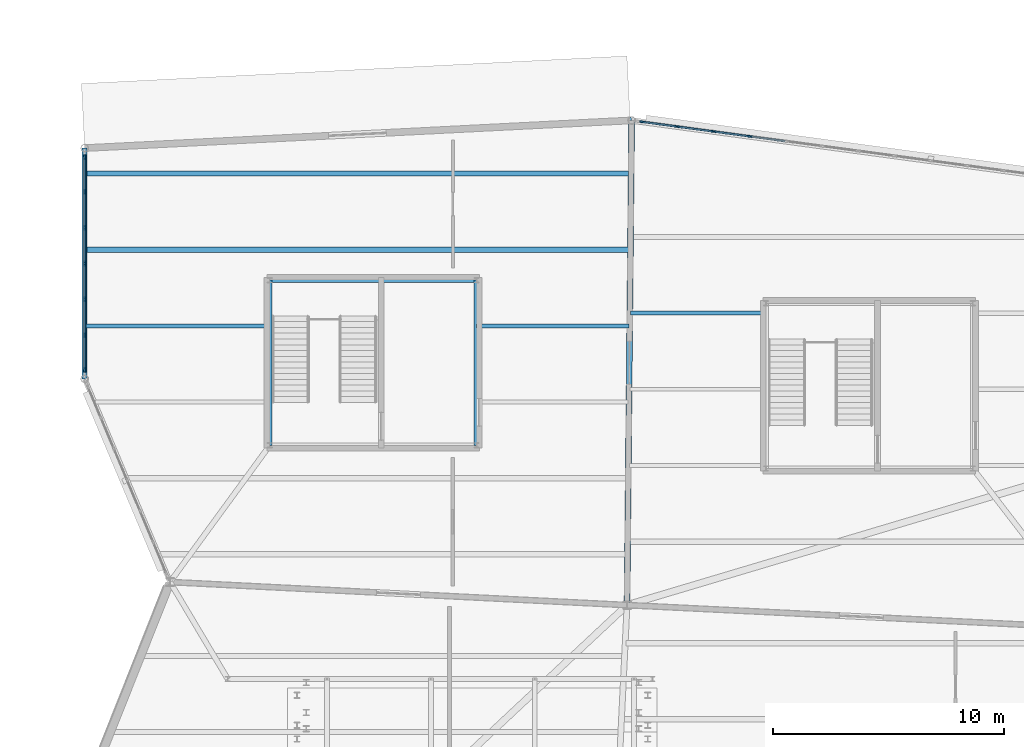
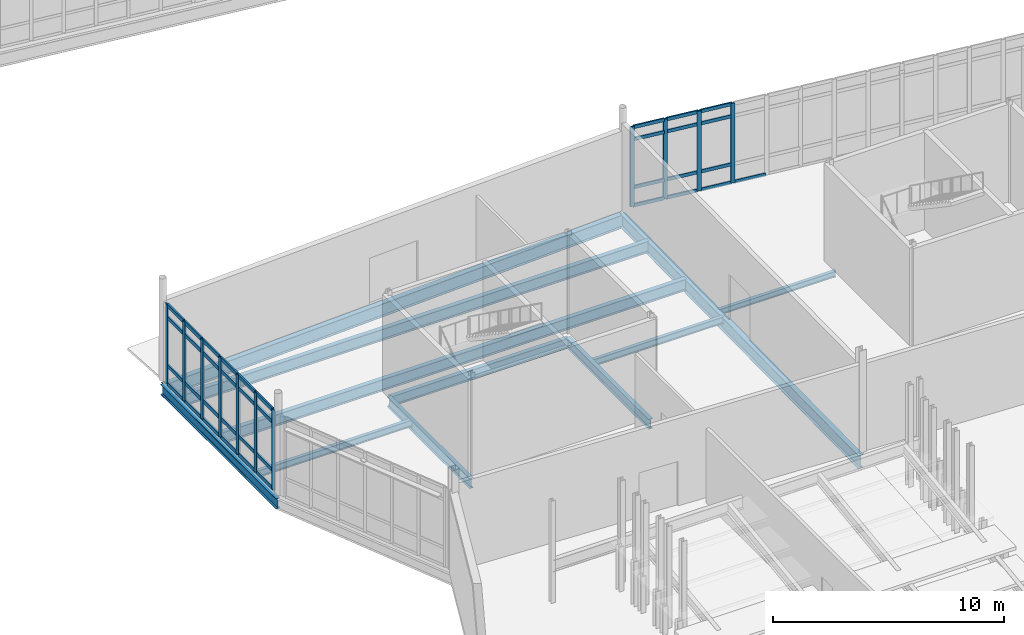
# One storey, part 30 of 113: 48 members, 11 beams, 2 elements without a shape of their own.
"""IFC4 building model written with IfcOpenShell, lengths in metres."""

import ifcopenshell
import ifcopenshell.guid

model = None  # the IFC model being written
_history = None  # IfcOwnerHistory: only IFC2X3 demands one
_inside = {}  # id of a spatial element -> (the spatial element, [elements in it])
_under = {}  # id of a project, library or spatial element -> (it, [spatial elements below it])
_declared = {}  # id of a project -> (the project, [libraries it declares])
_typed = {}  # id of a type object -> (the type object, [elements of that type])
_made_of = {}  # id of a material, layer set ... -> (it, [elements and type objects made of it])


def new_model(schema):
    """Start an empty IFC model of exactly this schema.

    Asked for "IFC4X3", IfcOpenShell would pick the latest addendum, in which some entities
    have other attributes; the version numbers below select the first issue.
    IFC2X3 requires an IfcOwnerHistory on every rooted entity: one is made here for all.
    """
    global model, _history
    if schema == "IFC4X3":
        model = ifcopenshell.file(schema_version=(4, 3, 0, 0))
    else:
        model = ifcopenshell.file(schema=schema)
    _inside.clear()
    _under.clear()
    _declared.clear()
    _typed.clear()
    _made_of.clear()
    _history = None
    if model.schema == "IFC2X3":
        org = make("IfcOrganization", Name="unknown")
        user = make(
            "IfcPersonAndOrganization",
            ThePerson=make("IfcPerson", FamilyName="unknown"),
            TheOrganization=org,
        )
        app = make(
            "IfcApplication",
            ApplicationDeveloper=org,
            Version="unknown",
            ApplicationFullName="unknown",
            ApplicationIdentifier="unknown",
        )
        _history = make(
            "IfcOwnerHistory",
            OwningUser=user,
            OwningApplication=app,
            ChangeAction="ADDED",
            CreationDate=0,
        )
    return model


def make(cls, **values):
    """One entity of the class cls with the attributes given. An attribute that is None is left unset."""
    return model.create_entity(
        cls, **{name: value for name, value in values.items() if value is not None}
    )


def rooted(cls, **values):
    """An entity with a GlobalId (a new one), such as an element, a storey or a relation."""
    return make(cls, GlobalId=ifcopenshell.guid.new(), OwnerHistory=_history, **values)


def si_unit(unit_type, name, prefix=None):
    """IfcSIUnit, for example si_unit("LENGTHUNIT", "METRE", prefix="MILLI")."""
    return make("IfcSIUnit", UnitType=unit_type, Prefix=prefix, Name=name)


def assignment(units):
    """IfcUnitAssignment: the units of a project."""
    return None if units is None else make("IfcUnitAssignment", Units=units)


def point(xyz):
    """IfcCartesianPoint."""
    return None if xyz is None else make("IfcCartesianPoint", Coordinates=xyz)


def direction(xyz):
    """IfcDirection."""
    return None if xyz is None else make("IfcDirection", DirectionRatios=xyz)


def frame(location, z_axis=None, x_axis=None):
    """IfcAxis2Placement3D, a coordinate frame: its origin and axes. An axis left out is left unset."""
    return make(
        "IfcAxis2Placement3D",
        Location=point(location),
        Axis=direction(z_axis),
        RefDirection=direction(x_axis),
    )


def frame_2d(location, x_axis=None):
    """IfcAxis2Placement2D, a coordinate frame in the plane: its origin and x axis."""
    return make(
        "IfcAxis2Placement2D", Location=point(location), RefDirection=direction(x_axis)
    )


def origin():
    """The frame at (0, 0, 0) with its axes left unset."""
    return frame((0.0, 0.0, 0.0))


def origin_2d():
    """The frame at (0, 0) in the plane with its x axis left unset."""
    return frame_2d((0.0, 0.0))


def place(relative_to, where):
    """IfcLocalPlacement: puts the frame where relative to a parent placement (None: the world)."""
    return make(
        "IfcLocalPlacement", PlacementRelTo=relative_to, RelativePlacement=where
    )


def context(
    kind, dimensions, precision=None, world=None, true_north=None, identifier=None
):
    """IfcGeometricRepresentationContext, for example the 3D "Model" context."""
    return make(
        "IfcGeometricRepresentationContext",
        ContextIdentifier=identifier,
        ContextType=kind,
        CoordinateSpaceDimension=dimensions,
        Precision=precision,
        WorldCoordinateSystem=world,
        TrueNorth=true_north,
    )


def subcontext(parent, identifier, kind, view, scale=None):
    """IfcGeometricRepresentationSubContext, for example "Body" below "Model"."""
    return make(
        "IfcGeometricRepresentationSubContext",
        ContextIdentifier=identifier,
        ContextType=kind,
        ParentContext=parent,
        TargetScale=scale,
        TargetView=view,
    )


def project(units=None, contexts=None):
    """IfcProject with its units and contexts."""
    return rooted(
        "IfcProject",
        Name="project",
        RepresentationContexts=contexts,
        UnitsInContext=assignment(units),
    )


def spatial(cls, under=None, at=None, **own):
    """A site, building, storey or space (cls), placed at a placement, below another one or the project."""
    s = rooted(cls, ObjectPlacement=at, **own)
    if under is not None:
        _under.setdefault(under.id(), (under, []))[1].append(s)
    return s


def profile(cls, at=None, kind="AREA", **sizes):
    """A parametric profile (cls). Its sizes go by their IFC names, for example OverallWidth=200.0."""
    return make(cls, ProfileType=kind, Position=at, **sizes)


def rectangle(**sizes):
    """IfcRectangleProfileDef."""
    return profile("IfcRectangleProfileDef", **sizes)


def i_section(**sizes):
    """IfcIShapeProfileDef."""
    return profile("IfcIShapeProfileDef", **sizes)


def extrude(swept, where, along, depth):
    """IfcExtrudedAreaSolid: the profile swept, set in the frame where, extruded along a direction by depth."""
    return make(
        "IfcExtrudedAreaSolid",
        SweptArea=swept,
        Position=where,
        ExtrudedDirection=direction(along),
        Depth=depth,
    )


def shape(context_of_items, identifier, shape_type, items):
    """IfcShapeRepresentation: the items that make up one representation, for example the "Body"."""
    return make(
        "IfcShapeRepresentation",
        ContextOfItems=context_of_items,
        RepresentationIdentifier=identifier,
        RepresentationType=shape_type,
        Items=items,
    )


def material(Name=None, Category=None):
    """IfcMaterial."""
    return make("IfcMaterial", Name=Name, Category=Category)


def material_profile(
    of_material, cross_section, Name=None, Category=None, Priority=None
):
    """IfcMaterialProfile: a cross section and its material."""
    return make(
        "IfcMaterialProfile",
        Name=Name,
        Material=of_material,
        Profile=cross_section,
        Priority=Priority,
        Category=Category,
    )


def profile_set(profiles, Name=None, composite=None):
    """IfcMaterialProfileSet."""
    return make(
        "IfcMaterialProfileSet",
        Name=Name,
        MaterialProfiles=profiles,
        CompositeProfile=composite,
    )


def made_of(thing, what):
    """Note that an element or type object is made of a material, layer set ...; save() writes the relation."""
    if what is not None:
        _made_of.setdefault(what.id(), (what, []))[1].append(thing)
    return thing


def type_object(cls, material=None, **own):
    """A type object (cls), such as IfcWallType, which elements share."""
    return made_of(rooted(cls, **own), material)


def element(
    cls,
    number,
    at=None,
    inside=None,
    cuts=None,
    type_object=None,
    material=None,
    context=None,
    identifier="Body",
    shape_type=None,
    held_by="IfcProductDefinitionShape",
    body=None,
    shapes=None,
    **own,
):
    """One element of the class cls, such as IfcWall. Its Tag is "e" and its number.

    at: its placement. inside: the storey or other place that contains it. cuts: it is an
    opening in that element (IfcRelVoidsElement). A single representation is given by context,
    identifier, shape_type and body (its items); several are given by shapes. held_by: the class
    of the entity that holds the representations. save() writes the other relations.
    """
    e = rooted(cls, Tag="e%d" % number, ObjectPlacement=at, **own)
    if body is not None:
        shapes = [shape(context, identifier, shape_type, body)]
    if shapes is not None:
        e.Representation = make(held_by, Representations=shapes)
    if inside is not None:
        _inside.setdefault(inside.id(), (inside, []))[1].append(e)
    if cuts is not None:
        rooted(
            "IfcRelVoidsElement", RelatingBuildingElement=cuts, RelatedOpeningElement=e
        )
    if type_object is not None:
        _typed.setdefault(type_object.id(), (type_object, []))[1].append(e)
    return made_of(e, material)


def aggregate(whole, parts):
    """IfcRelAggregates: a whole, such as a stair, and the parts it consists of."""
    return rooted("IfcRelAggregates", RelatingObject=whole, RelatedObjects=parts)


def save(model, path):
    """Write the relations noted so far, then the file.

    IfcRelAggregates (storeys below a building ...), IfcRelContainedInSpatialStructure (elements
    in a storey), IfcRelDefinesByType, IfcRelAssociatesMaterial and IfcRelDeclares: one each for
    every whole, place, type object, material and project.
    """
    for whole, parts in _under.values():
        aggregate(whole, parts)
    for where, things in _inside.values():
        rooted(
            "IfcRelContainedInSpatialStructure",
            RelatedElements=things,
            RelatingStructure=where,
        )
    for kind, things in _typed.values():
        rooted("IfcRelDefinesByType", RelatedObjects=things, RelatingType=kind)
    for what, things in _made_of.values():
        rooted("IfcRelAssociatesMaterial", RelatedObjects=things, RelatingMaterial=what)
    for by, libraries in _declared.values():
        rooted("IfcRelDeclares", RelatingContext=by, RelatedDefinitions=libraries)
    model.write(path)


model = new_model("IFC4")

# Units and contexts
model_context = context("Model", 3, precision=1e-05, world=origin(), true_north=direction((0.0, 1.0)))
body_context = subcontext(model_context, "Body", "Model", "MODEL_VIEW")
ifc_project = project(units=[si_unit("LENGTHUNIT", "METRE"), si_unit("AREAUNIT", "SQUARE_METRE"), si_unit("VOLUMEUNIT", "CUBIC_METRE"), si_unit("PLANEANGLEUNIT", "RADIAN"), si_unit("MASSUNIT", "GRAM", prefix="KILO")], contexts=[model_context])

# Site, building, storey
site_placement = place(None, origin())
site = spatial("IfcSite", under=ifc_project, at=site_placement, CompositionType="ELEMENT")
building_placement = place(site_placement, origin())
building = spatial("IfcBuilding", under=site, at=building_placement, Name="Tameran Prism Museum", CompositionType="ELEMENT")
storey_placement = place(building_placement, origin())
storey = spatial("IfcBuildingStorey", under=building, at=storey_placement, Name="L00", CompositionType="ELEMENT", Elevation=0.0)

# Beams
ifc_material_1 = material(Name="Steel Grade 300PLUS (300 MPa)", Category="steel")
ifc_material_profile_1 = material_profile(ifc_material_1, i_section(OverallWidth=0.166015625, OverallDepth=0.306884765625, WebThickness=0.006591796875, FlangeThickness=0.01171875, FilletRadius=0.011474609375, at=origin_2d()))
ifc_profile_set_1 = profile_set([ifc_material_profile_1])
beam_type_1 = type_object("IfcBeamType", Name="BM-J310A", PredefinedType="JOIST", material=ifc_profile_set_1)
beam_1_placement = place(storey_placement, frame((23.659912109375, 34.64990234375, -0.3935546875), z_axis=(1.0, 0.0, 0.0), x_axis=(0.0, 1.0, 0.0)))
element("IfcBeam", 1, at=beam_1_placement, inside=storey, type_object=beam_type_1, Name="Floor Beam BM-0280", PredefinedType="JOIST", context=body_context, shape_type="SweptSolid", body=[
    extrude(i_section(OverallWidth=0.166015625, OverallDepth=0.306884765625, WebThickness=0.006591796875, FlangeThickness=0.01171875, FilletRadius=0.011474609375, at=origin_2d()), origin(), (0.0, 0.0, 1.0), 5.860107421875),
])
ifc_material_2 = material(Name="Steel Grade 300PLUS (300 MPa)", Category="steel")
ifc_material_profile_2 = material_profile(ifc_material_2, i_section(OverallWidth=0.172119140625, OverallDepth=0.35888671875, WebThickness=0.008056640625, FlangeThickness=0.012939453125, FilletRadius=0.011474609375, at=origin_2d()))
ifc_profile_set_2 = profile_set([ifc_material_profile_2])
beam_type_2 = type_object("IfcBeamType", Name="BM-J360A", PredefinedType="JOIST", material=ifc_profile_set_2)
beam_2_placement = place(storey_placement, frame((0.0400390625, 34.10009765625, -0.41943359375), z_axis=(1.0, 0.0, 0.0), x_axis=(0.0, 1.0, 0.0)))
element("IfcBeam", 2, at=beam_2_placement, inside=storey, type_object=beam_type_2, Name="Floor Beam BM-0271", PredefinedType="JOIST", context=body_context, shape_type="SweptSolid", body=[
    extrude(i_section(OverallWidth=0.172119140625, OverallDepth=0.35888671875, WebThickness=0.008056640625, FlangeThickness=0.012939453125, FilletRadius=0.011474609375, at=origin_2d()), origin(), (0.0, 0.0, 1.0), 7.97998046875),
])
beam_3_placement = place(storey_placement, frame((16.97998046875, 34.10009765625, -0.41943359375), z_axis=(1.0, 0.0, 0.0), x_axis=(0.0, 1.0, 0.0)))
element("IfcBeam", 3, at=beam_3_placement, inside=storey, type_object=beam_type_2, Name="Floor Beam BM-0272", PredefinedType="JOIST", context=body_context, shape_type="SweptSolid", body=[
    extrude(i_section(OverallWidth=0.172119140625, OverallDepth=0.35888671875, WebThickness=0.008056640625, FlangeThickness=0.012939453125, FilletRadius=0.011474609375, at=origin_2d()), origin(), (0.0, 0.0, 1.0), 6.594970703125),
])
ifc_material_3 = material(Name="Steel Grade 300PLUS (300 MPa)", Category="steel")
ifc_material_profile_3 = material_profile(ifc_material_3, i_section(OverallWidth=0.208984375, OverallDepth=0.532958984375, WebThickness=0.01025390625, FlangeThickness=0.015625, FilletRadius=0.013916015625, at=origin_2d()))
ifc_profile_set_3 = profile_set([ifc_material_profile_3])
beam_type_3 = type_object("IfcBeamType", Name="BM-SP530A", PredefinedType="SPANDREL", material=ifc_profile_set_3)
beam_4_placement = place(storey_placement, frame((0.0, 41.800048828125, -0.506591796875), z_axis=(0.0, -1.0, 0.0), x_axis=(1.0, 0.0, 0.0)))
element("IfcBeam", 4, at=beam_4_placement, inside=storey, type_object=beam_type_3, Name="Perimeter Spandrel SP-0069", PredefinedType="SPANDREL", context=body_context, shape_type="SweptSolid", body=[
    extrude(i_section(OverallWidth=0.208984375, OverallDepth=0.532958984375, WebThickness=0.01025390625, FlangeThickness=0.015625, FilletRadius=0.013916015625, at=origin_2d()), origin(), (0.0, 0.0, 1.0), 10.0),
])
ifc_material_4 = material(Name="Steel Grade 300PLUS (300 MPa)", Category="steel")
ifc_material_profile_4 = material_profile(ifc_material_4, i_section(OverallWidth=0.208984375, OverallDepth=0.528076171875, WebThickness=0.009521484375, FlangeThickness=0.01318359375, FilletRadius=0.013916015625, at=origin_2d()))
ifc_profile_set_4 = profile_set([ifc_material_profile_4])
beam_type_4 = type_object("IfcBeamType", Name="BM-SP530B", PredefinedType="SPANDREL", material=ifc_profile_set_4)
beam_5_placement = place(storey_placement, frame((16.97998046875, 28.919921875, -0.50390625), z_axis=(0.0, 1.0, 0.0), x_axis=(-1.0, 0.0, 0.0)))
element("IfcBeam", 5, at=beam_5_placement, inside=storey, type_object=beam_type_4, Name="Core Ring Beam CTB-0139", PredefinedType="SPANDREL", context=body_context, shape_type="SweptSolid", body=[
    extrude(i_section(OverallWidth=0.208984375, OverallDepth=0.528076171875, WebThickness=0.009521484375, FlangeThickness=0.01318359375, FilletRadius=0.013916015625, at=origin_2d()), origin(), (0.0, 0.0, 1.0), 7.16015625),
])
beam_6_placement = place(storey_placement, frame((16.97998046875, 36.080078125, -0.50390625), z_axis=(-1.0, 0.0, 0.0), x_axis=(0.0, -1.0, 0.0)))
element("IfcBeam", 6, at=beam_6_placement, inside=storey, type_object=beam_type_4, Name="Core Ring Beam CTB-0140", PredefinedType="SPANDREL", context=body_context, shape_type="SweptSolid", body=[
    extrude(i_section(OverallWidth=0.208984375, OverallDepth=0.528076171875, WebThickness=0.009521484375, FlangeThickness=0.01318359375, FilletRadius=0.013916015625, at=origin_2d()), origin(), (0.0, 0.0, 1.0), 8.9599609375),
])
beam_7_placement = place(storey_placement, frame((8.02001953125, 36.080078125, -0.50390625), z_axis=(0.0, -1.0, 0.0), x_axis=(1.0, 0.0, 0.0)))
element("IfcBeam", 7, at=beam_7_placement, inside=storey, type_object=beam_type_4, Name="Core Ring Beam CTB-0141", PredefinedType="SPANDREL", context=body_context, shape_type="SweptSolid", body=[
    extrude(i_section(OverallWidth=0.208984375, OverallDepth=0.528076171875, WebThickness=0.009521484375, FlangeThickness=0.01318359375, FilletRadius=0.013916015625, at=origin_2d()), origin(), (0.0, 0.0, 1.0), 7.16015625),
])
ifc_material_5 = material(Name="Steel Grade 350 (350 MPa)", Category="steel")
ifc_material_profile_5 = material_profile(ifc_material_5, i_section(OverallWidth=0.25, OverallDepth=0.699951171875, WebThickness=0.010009765625, FlangeThickness=0.02001953125, at=origin_2d()))
ifc_profile_set_5 = profile_set([ifc_material_profile_5])
beam_type_5 = type_object("IfcBeamType", Name="BM-SP700", PredefinedType="SPANDREL", material=ifc_profile_set_5)
beam_8_placement = place(storey_placement, frame((23.699951171875, 43.0, -0.590087890625), z_axis=(-0.998720712235, -0.050566183885, 0.0), x_axis=(0.050566183885, -0.998720712235, 0.0)))
element("IfcBeam", 8, at=beam_8_placement, inside=storey, type_object=beam_type_5, Name="Perimeter Spandrel SP-0068", PredefinedType="SPANDREL", context=body_context, shape_type="SweptSolid", body=[
    extrude(i_section(OverallWidth=0.25, OverallDepth=0.699951171875, WebThickness=0.010009765625, FlangeThickness=0.02001953125, at=origin_2d()), origin(), (0.0, 0.0, 1.0), 23.730224609375),
])
beam_9_placement = place(storey_placement, frame((23.5, 22.0, -0.590087890625), z_axis=(0.009521052802, 0.99995467375, 0.0), x_axis=(-0.99995467375, 0.009521052802, 0.0)))
element("IfcBeam", 9, at=beam_9_placement, inside=storey, type_object=beam_type_5, Name="Perimeter Spandrel SP-0071", PredefinedType="SPANDREL", context=body_context, shape_type="SweptSolid", body=[
    extrude(i_section(OverallWidth=0.25, OverallDepth=0.699951171875, WebThickness=0.010009765625, FlangeThickness=0.02001953125, at=origin_2d()), origin(), (0.0, 0.0, 1.0), 21.0009765625),
])
ifc_material_6 = material(Name="Steel Grade 300PLUS (300 MPa)", Category="steel")
ifc_material_profile_6 = material_profile(ifc_material_6, i_section(OverallWidth=0.22802734375, OverallDepth=0.60693359375, WebThickness=0.01123046875, FlangeThickness=0.017333984375, FilletRadius=0.013916015625, at=origin_2d()))
ifc_profile_set_6 = profile_set([ifc_material_profile_6])
beam_type_6 = type_object("IfcBeamType", Name="BM-UB610B", PredefinedType="BEAM", material=ifc_profile_set_6)
beam_10_placement = place(storey_placement, frame((0.0400390625, 37.39990234375, -0.54345703125), z_axis=(1.0, 0.0, 0.0), x_axis=(0.0, 1.0, 0.0)))
element("IfcBeam", 10, at=beam_10_placement, inside=storey, type_object=beam_type_6, Name="Floor Beam BM-0273", PredefinedType="BEAM", context=body_context, shape_type="SweptSolid", body=[
    extrude(i_section(OverallWidth=0.22802734375, OverallDepth=0.60693359375, WebThickness=0.01123046875, FlangeThickness=0.017333984375, FilletRadius=0.013916015625, at=origin_2d()), origin(), (0.0, 0.0, 1.0), 23.56689453125),
])
beam_11_placement = place(storey_placement, frame((0.0400390625, 40.699951171875, -0.54345703125), z_axis=(1.0, 0.0, 0.0), x_axis=(0.0, 1.0, 0.0)))
element("IfcBeam", 11, at=beam_11_placement, inside=storey, type_object=beam_type_6, Name="Floor Beam BM-0274", PredefinedType="BEAM", context=body_context, shape_type="SweptSolid", body=[
    extrude(i_section(OverallWidth=0.22802734375, OverallDepth=0.60693359375, WebThickness=0.01123046875, FlangeThickness=0.017333984375, FilletRadius=0.013916015625, at=origin_2d()), origin(), (0.0, 0.0, 1.0), 23.597900390625),
])

# Curtain wall, members
ifc_material_7 = material(Name="Anodised Aluminium 6063-T6 and Cyclone Solar Glass", Category="aluminium")
curtain_wall_type_1 = type_object("IfcCurtainWallType", Name="CW-FAC-2532x422", PredefinedType="USERDEFINED", material=ifc_material_7)
curtain_wall_1_placement = place(storey_placement, origin())
curtain_wall_1 = element("IfcCurtainWall", 12, at=curtain_wall_1_placement, inside=storey, type_object=curtain_wall_type_1, Name="Unitised Curtain Wall CW-049", ObjectType="UNITISED CURTAIN WALL", PredefinedType="USERDEFINED")
ifc_material_8 = material(Name="Anodised Aluminium Alloy 6063-T6", Category="aluminium")
ifc_material_profile_7 = material_profile(ifc_material_8, rectangle(XDim=0.074951171875, YDim=0.199951171875, at=origin_2d()))
ifc_profile_set_7 = profile_set([ifc_material_profile_7])
member_type_1 = type_object("IfcMemberType", Name="CW-MUL-C", PredefinedType="MULLION", material=ifc_profile_set_7)
member_1_placement = place(storey_placement, frame((24.14404296875, 42.93994140625, 0.0), z_axis=(0.0, 0.0, 1.0), x_axis=(0.133912653592, 0.99099313883, 0.0)))
member_1 = element("IfcMember", 13, at=member_1_placement, type_object=member_type_1, Name="CW-049 mullion 1", PredefinedType="MULLION", context=body_context, shape_type="SweptSolid", body=[
    extrude(rectangle(XDim=0.074951171875, YDim=0.199951171875, at=origin_2d()), origin(), (0.0, 0.0, 1.0), 4.219970703125),
])
member_2_placement = place(storey_placement, frame((25.675048828125, 42.733154296875, 0.0), z_axis=(0.0, 0.0, 1.0), x_axis=(0.133912653592, 0.99099313883, 0.0)))
member_2 = element("IfcMember", 14, at=member_2_placement, type_object=member_type_1, Name="CW-049 mullion 2", PredefinedType="MULLION", context=body_context, shape_type="SweptSolid", body=[
    extrude(rectangle(XDim=0.074951171875, YDim=0.199951171875, at=origin_2d()), origin(), (0.0, 0.0, 1.0), 4.219970703125),
])
member_3_placement = place(storey_placement, frame((27.242919921875, 42.521240234375, 0.0), z_axis=(0.0, 0.0, 1.0), x_axis=(0.133912653592, 0.99099313883, 0.0)))
member_3 = element("IfcMember", 15, at=member_3_placement, type_object=member_type_1, Name="CW-049 mullion 3", PredefinedType="MULLION", context=body_context, shape_type="SweptSolid", body=[
    extrude(rectangle(XDim=0.074951171875, YDim=0.199951171875, at=origin_2d()), origin(), (0.0, 0.0, 1.0), 4.219970703125),
])
member_4_placement = place(storey_placement, frame((28.810791015625, 42.309326171875, 0.0), z_axis=(0.0, 0.0, 1.0), x_axis=(0.133912653592, 0.99099313883, 0.0)))
member_4 = element("IfcMember", 16, at=member_4_placement, type_object=member_type_1, Name="CW-049 mullion 4", PredefinedType="MULLION", context=body_context, shape_type="SweptSolid", body=[
    extrude(rectangle(XDim=0.074951171875, YDim=0.199951171875, at=origin_2d()), origin(), (0.0, 0.0, 1.0), 4.219970703125),
])

ifc_material_9 = material(Name="Anodised Aluminium 6063-T6 and Cyclone Solar Glass", Category="aluminium")
curtain_wall_type_2 = type_object("IfcCurtainWallType", Name="CW-FAC-930x422", PredefinedType="USERDEFINED", material=ifc_material_9)
curtain_wall_2_placement = place(storey_placement, origin())
curtain_wall_2 = element("IfcCurtainWall", 17, at=curtain_wall_2_placement, inside=storey, type_object=curtain_wall_type_2, Name="Unitised Curtain Wall CW-046", ObjectType="UNITISED CURTAIN WALL", PredefinedType="USERDEFINED")
ifc_material_10 = material(Name="Anodised Aluminium Alloy 6063-T6", Category="aluminium")
ifc_material_profile_8 = material_profile(ifc_material_10, rectangle(XDim=0.080078125, YDim=0.219970703125, at=origin_2d()))
ifc_profile_set_8 = profile_set([ifc_material_profile_8])
member_type_2 = type_object("IfcMemberType", Name="CW-MUL-D", PredefinedType="MULLION", material=ifc_profile_set_8)
member_5_placement = place(storey_placement, frame((0.0, 32.18994140625, 0.0), z_axis=(0.0, 0.0, 1.0), x_axis=(-1.0, 0.0, 0.0)))
member_5 = element("IfcMember", 18, at=member_5_placement, type_object=member_type_2, Name="CW-046 mullion 1", PredefinedType="MULLION", context=body_context, shape_type="SweptSolid", body=[
    extrude(rectangle(XDim=0.080078125, YDim=0.219970703125, at=origin_2d()), origin(), (0.0, 0.0, 1.0), 4.219970703125),
])
member_6_placement = place(storey_placement, frame((0.0, 33.699951171875, 0.0), z_axis=(0.0, 0.0, 1.0), x_axis=(-1.0, 0.0, 0.0)))
member_6 = element("IfcMember", 19, at=member_6_placement, type_object=member_type_2, Name="CW-046 mullion 2", PredefinedType="MULLION", context=body_context, shape_type="SweptSolid", body=[
    extrude(rectangle(XDim=0.080078125, YDim=0.219970703125, at=origin_2d()), origin(), (0.0, 0.0, 1.0), 4.219970703125),
])
member_7_placement = place(storey_placement, frame((0.0, 35.25, 0.0), z_axis=(0.0, 0.0, 1.0), x_axis=(-1.0, 0.0, 0.0)))
member_7 = element("IfcMember", 20, at=member_7_placement, type_object=member_type_2, Name="CW-046 mullion 3", PredefinedType="MULLION", context=body_context, shape_type="SweptSolid", body=[
    extrude(rectangle(XDim=0.080078125, YDim=0.219970703125, at=origin_2d()), origin(), (0.0, 0.0, 1.0), 4.219970703125),
])
member_8_placement = place(storey_placement, frame((0.0, 36.800048828125, 0.0), z_axis=(0.0, 0.0, 1.0), x_axis=(-1.0, 0.0, 0.0)))
member_8 = element("IfcMember", 21, at=member_8_placement, type_object=member_type_2, Name="CW-046 mullion 4", PredefinedType="MULLION", context=body_context, shape_type="SweptSolid", body=[
    extrude(rectangle(XDim=0.080078125, YDim=0.219970703125, at=origin_2d()), origin(), (0.0, 0.0, 1.0), 4.219970703125),
])
member_9_placement = place(storey_placement, frame((0.0, 38.35009765625, 0.0), z_axis=(0.0, 0.0, 1.0), x_axis=(-1.0, 0.0, 0.0)))
member_9 = element("IfcMember", 22, at=member_9_placement, type_object=member_type_2, Name="CW-046 mullion 5", PredefinedType="MULLION", context=body_context, shape_type="SweptSolid", body=[
    extrude(rectangle(XDim=0.080078125, YDim=0.219970703125, at=origin_2d()), origin(), (0.0, 0.0, 1.0), 4.219970703125),
])
member_10_placement = place(storey_placement, frame((0.0, 39.89990234375, 0.0), z_axis=(0.0, 0.0, 1.0), x_axis=(-1.0, 0.0, 0.0)))
member_10 = element("IfcMember", 23, at=member_10_placement, type_object=member_type_2, Name="CW-046 mullion 6", PredefinedType="MULLION", context=body_context, shape_type="SweptSolid", body=[
    extrude(rectangle(XDim=0.080078125, YDim=0.219970703125, at=origin_2d()), origin(), (0.0, 0.0, 1.0), 4.219970703125),
])
member_11_placement = place(storey_placement, frame((0.0, 41.409912109375, 0.0), z_axis=(0.0, 0.0, 1.0), x_axis=(-1.0, 0.0, 0.0)))
member_11 = element("IfcMember", 24, at=member_11_placement, type_object=member_type_2, Name="CW-046 mullion 7", PredefinedType="MULLION", context=body_context, shape_type="SweptSolid", body=[
    extrude(rectangle(XDim=0.080078125, YDim=0.219970703125, at=origin_2d()), origin(), (0.0, 0.0, 1.0), 4.219970703125),
])

# Member
ifc_material_11 = material(Name="Anodised Aluminium Alloy 6063-T6", Category="aluminium")
ifc_material_profile_9 = material_profile(ifc_material_11, rectangle(XDim=0.074951171875, YDim=0.175048828125, at=origin_2d()))
ifc_profile_set_9 = profile_set([ifc_material_profile_9])
member_type_3 = type_object("IfcMemberType", Name="CW-TRN-C", PredefinedType="USERDEFINED", material=ifc_profile_set_9)
member_12_placement = place(storey_placement, frame((24.181396484375, 42.93505859375, 0.03759765625), z_axis=(0.990972159176, -0.134067817679, 0.0), x_axis=(0.134067817679, 0.990972159176, 0.0)))
member_12 = element("IfcMember", 25, at=member_12_placement, type_object=member_type_3, Name="CW-049 transom 1.1", ObjectType="TRANSOM", PredefinedType="USERDEFINED", context=body_context, shape_type="SweptSolid", body=[
    extrude(rectangle(XDim=0.074951171875, YDim=0.175048828125, at=origin_2d()), origin(), (0.0, 0.0, 1.0), 1.469482421875),
])

member_13_placement = place(storey_placement, frame((24.181396484375, 42.93505859375, 1.0), z_axis=(0.990972159176, -0.134067817679, 0.0), x_axis=(0.134067817679, 0.990972159176, 0.0)))
member_13 = element("IfcMember", 26, at=member_13_placement, type_object=member_type_3, Name="CW-049 transom 1.2", ObjectType="TRANSOM", PredefinedType="USERDEFINED", context=body_context, shape_type="SweptSolid", body=[
    extrude(rectangle(XDim=0.074951171875, YDim=0.175048828125, at=origin_2d()), origin(), (0.0, 0.0, 1.0), 1.469482421875),
])

member_14_placement = place(storey_placement, frame((24.181396484375, 42.93505859375, 3.5400390625), z_axis=(0.990972159176, -0.134067817679, 0.0), x_axis=(0.134067817679, 0.990972159176, 0.0)))
member_14 = element("IfcMember", 27, at=member_14_placement, type_object=member_type_3, Name="CW-049 transom 1.3", ObjectType="TRANSOM", PredefinedType="USERDEFINED", context=body_context, shape_type="SweptSolid", body=[
    extrude(rectangle(XDim=0.074951171875, YDim=0.175048828125, at=origin_2d()), origin(), (0.0, 0.0, 1.0), 1.469482421875),
])

member_15_placement = place(storey_placement, frame((24.181396484375, 42.93505859375, 4.1826171875), z_axis=(0.990972159176, -0.134067817679, 0.0), x_axis=(0.134067817679, 0.990972159176, 0.0)))
member_15 = element("IfcMember", 28, at=member_15_placement, type_object=member_type_3, Name="CW-049 transom 1.4", ObjectType="TRANSOM", PredefinedType="USERDEFINED", context=body_context, shape_type="SweptSolid", body=[
    extrude(rectangle(XDim=0.074951171875, YDim=0.175048828125, at=origin_2d()), origin(), (0.0, 0.0, 1.0), 1.469482421875),
])

member_16_placement = place(storey_placement, frame((25.712158203125, 42.72802734375, 0.03759765625), z_axis=(0.991008691064, -0.133797512066, 0.0), x_axis=(0.133797512066, 0.991008691064, 0.0)))
member_16 = element("IfcMember", 29, at=member_16_placement, type_object=member_type_3, Name="CW-049 transom 2.1", ObjectType="TRANSOM", PredefinedType="USERDEFINED", context=body_context, shape_type="SweptSolid", body=[
    extrude(rectangle(XDim=0.074951171875, YDim=0.175048828125, at=origin_2d()), origin(), (0.0, 0.0, 1.0), 1.50732421875),
])

member_17_placement = place(storey_placement, frame((25.712158203125, 42.72802734375, 1.0), z_axis=(0.991008691064, -0.133797512066, 0.0), x_axis=(0.133797512066, 0.991008691064, 0.0)))
member_17 = element("IfcMember", 30, at=member_17_placement, type_object=member_type_3, Name="CW-049 transom 2.2", ObjectType="TRANSOM", PredefinedType="USERDEFINED", context=body_context, shape_type="SweptSolid", body=[
    extrude(rectangle(XDim=0.074951171875, YDim=0.175048828125, at=origin_2d()), origin(), (0.0, 0.0, 1.0), 1.50732421875),
])

member_18_placement = place(storey_placement, frame((25.712158203125, 42.72802734375, 3.5400390625), z_axis=(0.991008691064, -0.133797512066, 0.0), x_axis=(0.133797512066, 0.991008691064, 0.0)))
member_18 = element("IfcMember", 31, at=member_18_placement, type_object=member_type_3, Name="CW-049 transom 2.3", ObjectType="TRANSOM", PredefinedType="USERDEFINED", context=body_context, shape_type="SweptSolid", body=[
    extrude(rectangle(XDim=0.074951171875, YDim=0.175048828125, at=origin_2d()), origin(), (0.0, 0.0, 1.0), 1.50732421875),
])

member_19_placement = place(storey_placement, frame((25.712158203125, 42.72802734375, 4.1826171875), z_axis=(0.991008691064, -0.133797512066, 0.0), x_axis=(0.133797512066, 0.991008691064, 0.0)))
member_19 = element("IfcMember", 32, at=member_19_placement, type_object=member_type_3, Name="CW-049 transom 2.4", ObjectType="TRANSOM", PredefinedType="USERDEFINED", context=body_context, shape_type="SweptSolid", body=[
    extrude(rectangle(XDim=0.074951171875, YDim=0.175048828125, at=origin_2d()), origin(), (0.0, 0.0, 1.0), 1.50732421875),
])

member_20_placement = place(storey_placement, frame((27.280029296875, 42.51611328125, 0.03759765625), z_axis=(0.991008691064, -0.133797512066, 0.0), x_axis=(0.133797512066, 0.991008691064, 0.0)))
member_20 = element("IfcMember", 33, at=member_20_placement, type_object=member_type_3, Name="CW-049 transom 3.1", ObjectType="TRANSOM", PredefinedType="USERDEFINED", context=body_context, shape_type="SweptSolid", body=[
    extrude(rectangle(XDim=0.074951171875, YDim=0.175048828125, at=origin_2d()), origin(), (0.0, 0.0, 1.0), 1.50732421875),
])

member_21_placement = place(storey_placement, frame((27.280029296875, 42.51611328125, 1.0), z_axis=(0.991008691064, -0.133797512066, 0.0), x_axis=(0.133797512066, 0.991008691064, 0.0)))
member_21 = element("IfcMember", 34, at=member_21_placement, type_object=member_type_3, Name="CW-049 transom 3.2", ObjectType="TRANSOM", PredefinedType="USERDEFINED", context=body_context, shape_type="SweptSolid", body=[
    extrude(rectangle(XDim=0.074951171875, YDim=0.175048828125, at=origin_2d()), origin(), (0.0, 0.0, 1.0), 1.50732421875),
])

member_22_placement = place(storey_placement, frame((27.280029296875, 42.51611328125, 3.5400390625), z_axis=(0.991008691064, -0.133797512066, 0.0), x_axis=(0.133797512066, 0.991008691064, 0.0)))
member_22 = element("IfcMember", 35, at=member_22_placement, type_object=member_type_3, Name="CW-049 transom 3.3", ObjectType="TRANSOM", PredefinedType="USERDEFINED", context=body_context, shape_type="SweptSolid", body=[
    extrude(rectangle(XDim=0.074951171875, YDim=0.175048828125, at=origin_2d()), origin(), (0.0, 0.0, 1.0), 1.50732421875),
])

member_23_placement = place(storey_placement, frame((27.280029296875, 42.51611328125, 4.1826171875), z_axis=(0.991008691064, -0.133797512066, 0.0), x_axis=(0.133797512066, 0.991008691064, 0.0)))
member_23 = element("IfcMember", 36, at=member_23_placement, type_object=member_type_3, Name="CW-049 transom 3.4", ObjectType="TRANSOM", PredefinedType="USERDEFINED", context=body_context, shape_type="SweptSolid", body=[
    extrude(rectangle(XDim=0.074951171875, YDim=0.175048828125, at=origin_2d()), origin(), (0.0, 0.0, 1.0), 1.50732421875),
])

member_24_placement = place(storey_placement, frame((28.847900390625, 42.304443359375, 0.03759765625), z_axis=(0.990987200779, -0.133956589579, 0.0), x_axis=(0.133956589579, 0.990987200779, 0.0)))
member_24 = element("IfcMember", 37, at=member_24_placement, type_object=member_type_3, Name="CW-049 transom 4.1", ObjectType="TRANSOM", PredefinedType="USERDEFINED", context=body_context, shape_type="SweptSolid", body=[
    extrude(rectangle(XDim=0.074951171875, YDim=0.175048828125, at=origin_2d()), origin(), (0.0, 0.0, 1.0), 1.50732421875),
])

aggregate(curtain_wall_1, [member_1, member_2, member_3, member_4, member_12, member_13, member_14, member_15, member_16, member_17, member_18, member_19, member_20, member_21, member_22, member_23, member_24])

ifc_material_12 = material(Name="Anodised Aluminium Alloy 6063-T6", Category="aluminium")
ifc_material_profile_10 = material_profile(ifc_material_12, rectangle(XDim=0.080078125, YDim=0.195068359375, at=origin_2d()))
ifc_profile_set_10 = profile_set([ifc_material_profile_10])
member_type_4 = type_object("IfcMemberType", Name="CW-TRN-D", PredefinedType="USERDEFINED", material=ifc_profile_set_10)
member_25_placement = place(storey_placement, frame((0.0, 32.22998046875, 0.0400390625), z_axis=(0.0, 1.0, 0.0), x_axis=(-1.0, 0.0, 0.0)))
member_25 = element("IfcMember", 38, at=member_25_placement, type_object=member_type_4, Name="CW-046 transom 1.1", ObjectType="TRANSOM", PredefinedType="USERDEFINED", context=body_context, shape_type="SweptSolid", body=[
    extrude(rectangle(XDim=0.080078125, YDim=0.195068359375, at=origin_2d()), origin(), (0.0, 0.0, 1.0), 1.429931640625),
])

member_26_placement = place(storey_placement, frame((0.0, 32.22998046875, 1.0), z_axis=(0.0, 1.0, 0.0), x_axis=(-1.0, 0.0, 0.0)))
member_26 = element("IfcMember", 39, at=member_26_placement, type_object=member_type_4, Name="CW-046 transom 1.2", ObjectType="TRANSOM", PredefinedType="USERDEFINED", context=body_context, shape_type="SweptSolid", body=[
    extrude(rectangle(XDim=0.080078125, YDim=0.195068359375, at=origin_2d()), origin(), (0.0, 0.0, 1.0), 1.429931640625),
])

member_27_placement = place(storey_placement, frame((0.0, 32.22998046875, 3.5400390625), z_axis=(0.0, 1.0, 0.0), x_axis=(-1.0, 0.0, 0.0)))
member_27 = element("IfcMember", 40, at=member_27_placement, type_object=member_type_4, Name="CW-046 transom 1.3", ObjectType="TRANSOM", PredefinedType="USERDEFINED", context=body_context, shape_type="SweptSolid", body=[
    extrude(rectangle(XDim=0.080078125, YDim=0.195068359375, at=origin_2d()), origin(), (0.0, 0.0, 1.0), 1.429931640625),
])

member_28_placement = place(storey_placement, frame((0.0, 32.22998046875, 4.179931640625), z_axis=(0.0, 1.0, 0.0), x_axis=(-1.0, 0.0, 0.0)))
member_28 = element("IfcMember", 41, at=member_28_placement, type_object=member_type_4, Name="CW-046 transom 1.4", ObjectType="TRANSOM", PredefinedType="USERDEFINED", context=body_context, shape_type="SweptSolid", body=[
    extrude(rectangle(XDim=0.080078125, YDim=0.195068359375, at=origin_2d()), origin(), (0.0, 0.0, 1.0), 1.429931640625),
])

member_29_placement = place(storey_placement, frame((0.0, 33.739990234375, 0.0400390625), z_axis=(0.0, 1.0, 0.0), x_axis=(-1.0, 0.0, 0.0)))
member_29 = element("IfcMember", 42, at=member_29_placement, type_object=member_type_4, Name="CW-046 transom 2.1", ObjectType="TRANSOM", PredefinedType="USERDEFINED", context=body_context, shape_type="SweptSolid", body=[
    extrude(rectangle(XDim=0.080078125, YDim=0.195068359375, at=origin_2d()), origin(), (0.0, 0.0, 1.0), 1.469970703125),
])

member_30_placement = place(storey_placement, frame((0.0, 33.739990234375, 1.0), z_axis=(0.0, 1.0, 0.0), x_axis=(-1.0, 0.0, 0.0)))
member_30 = element("IfcMember", 43, at=member_30_placement, type_object=member_type_4, Name="CW-046 transom 2.2", ObjectType="TRANSOM", PredefinedType="USERDEFINED", context=body_context, shape_type="SweptSolid", body=[
    extrude(rectangle(XDim=0.080078125, YDim=0.195068359375, at=origin_2d()), origin(), (0.0, 0.0, 1.0), 1.469970703125),
])

member_31_placement = place(storey_placement, frame((0.0, 33.739990234375, 3.5400390625), z_axis=(0.0, 1.0, 0.0), x_axis=(-1.0, 0.0, 0.0)))
member_31 = element("IfcMember", 44, at=member_31_placement, type_object=member_type_4, Name="CW-046 transom 2.3", ObjectType="TRANSOM", PredefinedType="USERDEFINED", context=body_context, shape_type="SweptSolid", body=[
    extrude(rectangle(XDim=0.080078125, YDim=0.195068359375, at=origin_2d()), origin(), (0.0, 0.0, 1.0), 1.469970703125),
])

member_32_placement = place(storey_placement, frame((0.0, 33.739990234375, 4.179931640625), z_axis=(0.0, 1.0, 0.0), x_axis=(-1.0, 0.0, 0.0)))
member_32 = element("IfcMember", 45, at=member_32_placement, type_object=member_type_4, Name="CW-046 transom 2.4", ObjectType="TRANSOM", PredefinedType="USERDEFINED", context=body_context, shape_type="SweptSolid", body=[
    extrude(rectangle(XDim=0.080078125, YDim=0.195068359375, at=origin_2d()), origin(), (0.0, 0.0, 1.0), 1.469970703125),
])

member_33_placement = place(storey_placement, frame((0.0, 35.2900390625, 0.0400390625), z_axis=(0.0, 1.0, 0.0), x_axis=(-1.0, 0.0, 0.0)))
member_33 = element("IfcMember", 46, at=member_33_placement, type_object=member_type_4, Name="CW-046 transom 3.1", ObjectType="TRANSOM", PredefinedType="USERDEFINED", context=body_context, shape_type="SweptSolid", body=[
    extrude(rectangle(XDim=0.080078125, YDim=0.195068359375, at=origin_2d()), origin(), (0.0, 0.0, 1.0), 1.469970703125),
])

member_34_placement = place(storey_placement, frame((0.0, 35.2900390625, 1.0), z_axis=(0.0, 1.0, 0.0), x_axis=(-1.0, 0.0, 0.0)))
member_34 = element("IfcMember", 47, at=member_34_placement, type_object=member_type_4, Name="CW-046 transom 3.2", ObjectType="TRANSOM", PredefinedType="USERDEFINED", context=body_context, shape_type="SweptSolid", body=[
    extrude(rectangle(XDim=0.080078125, YDim=0.195068359375, at=origin_2d()), origin(), (0.0, 0.0, 1.0), 1.469970703125),
])

member_35_placement = place(storey_placement, frame((0.0, 35.2900390625, 3.5400390625), z_axis=(0.0, 1.0, 0.0), x_axis=(-1.0, 0.0, 0.0)))
member_35 = element("IfcMember", 48, at=member_35_placement, type_object=member_type_4, Name="CW-046 transom 3.3", ObjectType="TRANSOM", PredefinedType="USERDEFINED", context=body_context, shape_type="SweptSolid", body=[
    extrude(rectangle(XDim=0.080078125, YDim=0.195068359375, at=origin_2d()), origin(), (0.0, 0.0, 1.0), 1.469970703125),
])

member_36_placement = place(storey_placement, frame((0.0, 35.2900390625, 4.179931640625), z_axis=(0.0, 1.0, 0.0), x_axis=(-1.0, 0.0, 0.0)))
member_36 = element("IfcMember", 49, at=member_36_placement, type_object=member_type_4, Name="CW-046 transom 3.4", ObjectType="TRANSOM", PredefinedType="USERDEFINED", context=body_context, shape_type="SweptSolid", body=[
    extrude(rectangle(XDim=0.080078125, YDim=0.195068359375, at=origin_2d()), origin(), (0.0, 0.0, 1.0), 1.469970703125),
])

member_37_placement = place(storey_placement, frame((0.0, 36.840087890625, 0.0400390625), z_axis=(0.0, 1.0, 0.0), x_axis=(-1.0, 0.0, 0.0)))
member_37 = element("IfcMember", 50, at=member_37_placement, type_object=member_type_4, Name="CW-046 transom 4.1", ObjectType="TRANSOM", PredefinedType="USERDEFINED", context=body_context, shape_type="SweptSolid", body=[
    extrude(rectangle(XDim=0.080078125, YDim=0.195068359375, at=origin_2d()), origin(), (0.0, 0.0, 1.0), 1.469970703125),
])

member_38_placement = place(storey_placement, frame((0.0, 36.840087890625, 1.0), z_axis=(0.0, 1.0, 0.0), x_axis=(-1.0, 0.0, 0.0)))
member_38 = element("IfcMember", 51, at=member_38_placement, type_object=member_type_4, Name="CW-046 transom 4.2", ObjectType="TRANSOM", PredefinedType="USERDEFINED", context=body_context, shape_type="SweptSolid", body=[
    extrude(rectangle(XDim=0.080078125, YDim=0.195068359375, at=origin_2d()), origin(), (0.0, 0.0, 1.0), 1.469970703125),
])

member_39_placement = place(storey_placement, frame((0.0, 36.840087890625, 3.5400390625), z_axis=(0.0, 1.0, 0.0), x_axis=(-1.0, 0.0, 0.0)))
member_39 = element("IfcMember", 52, at=member_39_placement, type_object=member_type_4, Name="CW-046 transom 4.3", ObjectType="TRANSOM", PredefinedType="USERDEFINED", context=body_context, shape_type="SweptSolid", body=[
    extrude(rectangle(XDim=0.080078125, YDim=0.195068359375, at=origin_2d()), origin(), (0.0, 0.0, 1.0), 1.469970703125),
])

member_40_placement = place(storey_placement, frame((0.0, 36.840087890625, 4.179931640625), z_axis=(0.0, 1.0, 0.0), x_axis=(-1.0, 0.0, 0.0)))
member_40 = element("IfcMember", 53, at=member_40_placement, type_object=member_type_4, Name="CW-046 transom 4.4", ObjectType="TRANSOM", PredefinedType="USERDEFINED", context=body_context, shape_type="SweptSolid", body=[
    extrude(rectangle(XDim=0.080078125, YDim=0.195068359375, at=origin_2d()), origin(), (0.0, 0.0, 1.0), 1.469970703125),
])

member_41_placement = place(storey_placement, frame((0.0, 38.389892578125, 0.0400390625), z_axis=(0.0, 1.0, 0.0), x_axis=(-1.0, 0.0, 0.0)))
member_41 = element("IfcMember", 54, at=member_41_placement, type_object=member_type_4, Name="CW-046 transom 5.1", ObjectType="TRANSOM", PredefinedType="USERDEFINED", context=body_context, shape_type="SweptSolid", body=[
    extrude(rectangle(XDim=0.080078125, YDim=0.195068359375, at=origin_2d()), origin(), (0.0, 0.0, 1.0), 1.47021484375),
])

member_42_placement = place(storey_placement, frame((0.0, 38.389892578125, 1.0), z_axis=(0.0, 1.0, 0.0), x_axis=(-1.0, 0.0, 0.0)))
member_42 = element("IfcMember", 55, at=member_42_placement, type_object=member_type_4, Name="CW-046 transom 5.2", ObjectType="TRANSOM", PredefinedType="USERDEFINED", context=body_context, shape_type="SweptSolid", body=[
    extrude(rectangle(XDim=0.080078125, YDim=0.195068359375, at=origin_2d()), origin(), (0.0, 0.0, 1.0), 1.47021484375),
])

member_43_placement = place(storey_placement, frame((0.0, 38.389892578125, 3.5400390625), z_axis=(0.0, 1.0, 0.0), x_axis=(-1.0, 0.0, 0.0)))
member_43 = element("IfcMember", 56, at=member_43_placement, type_object=member_type_4, Name="CW-046 transom 5.3", ObjectType="TRANSOM", PredefinedType="USERDEFINED", context=body_context, shape_type="SweptSolid", body=[
    extrude(rectangle(XDim=0.080078125, YDim=0.195068359375, at=origin_2d()), origin(), (0.0, 0.0, 1.0), 1.47021484375),
])

member_44_placement = place(storey_placement, frame((0.0, 38.389892578125, 4.179931640625), z_axis=(0.0, 1.0, 0.0), x_axis=(-1.0, 0.0, 0.0)))
member_44 = element("IfcMember", 57, at=member_44_placement, type_object=member_type_4, Name="CW-046 transom 5.4", ObjectType="TRANSOM", PredefinedType="USERDEFINED", context=body_context, shape_type="SweptSolid", body=[
    extrude(rectangle(XDim=0.080078125, YDim=0.195068359375, at=origin_2d()), origin(), (0.0, 0.0, 1.0), 1.47021484375),
])

member_45_placement = place(storey_placement, frame((0.0, 39.93994140625, 0.0400390625), z_axis=(0.0, 1.0, 0.0), x_axis=(-1.0, 0.0, 0.0)))
member_45 = element("IfcMember", 58, at=member_45_placement, type_object=member_type_4, Name="CW-046 transom 6.1", ObjectType="TRANSOM", PredefinedType="USERDEFINED", context=body_context, shape_type="SweptSolid", body=[
    extrude(rectangle(XDim=0.080078125, YDim=0.195068359375, at=origin_2d()), origin(), (0.0, 0.0, 1.0), 1.43017578125),
])

member_46_placement = place(storey_placement, frame((0.0, 39.93994140625, 1.0), z_axis=(0.0, 1.0, 0.0), x_axis=(-1.0, 0.0, 0.0)))
member_46 = element("IfcMember", 59, at=member_46_placement, type_object=member_type_4, Name="CW-046 transom 6.2", ObjectType="TRANSOM", PredefinedType="USERDEFINED", context=body_context, shape_type="SweptSolid", body=[
    extrude(rectangle(XDim=0.080078125, YDim=0.195068359375, at=origin_2d()), origin(), (0.0, 0.0, 1.0), 1.43017578125),
])

member_47_placement = place(storey_placement, frame((0.0, 39.93994140625, 3.5400390625), z_axis=(0.0, 1.0, 0.0), x_axis=(-1.0, 0.0, 0.0)))
member_47 = element("IfcMember", 60, at=member_47_placement, type_object=member_type_4, Name="CW-046 transom 6.3", ObjectType="TRANSOM", PredefinedType="USERDEFINED", context=body_context, shape_type="SweptSolid", body=[
    extrude(rectangle(XDim=0.080078125, YDim=0.195068359375, at=origin_2d()), origin(), (0.0, 0.0, 1.0), 1.43017578125),
])

member_48_placement = place(storey_placement, frame((0.0, 39.93994140625, 4.179931640625), z_axis=(0.0, 1.0, 0.0), x_axis=(-1.0, 0.0, 0.0)))
member_48 = element("IfcMember", 61, at=member_48_placement, type_object=member_type_4, Name="CW-046 transom 6.4", ObjectType="TRANSOM", PredefinedType="USERDEFINED", context=body_context, shape_type="SweptSolid", body=[
    extrude(rectangle(XDim=0.080078125, YDim=0.195068359375, at=origin_2d()), origin(), (0.0, 0.0, 1.0), 1.43017578125),
])

aggregate(curtain_wall_2, [member_5, member_6, member_7, member_8, member_9, member_10, member_11, member_25, member_26, member_27, member_28, member_29, member_30, member_31, member_32, member_33, member_34, member_35, member_36, member_37, member_38, member_39, member_40, member_41, member_42, member_43, member_44, member_45, member_46, member_47, member_48])

save(model, "model.ifc")
